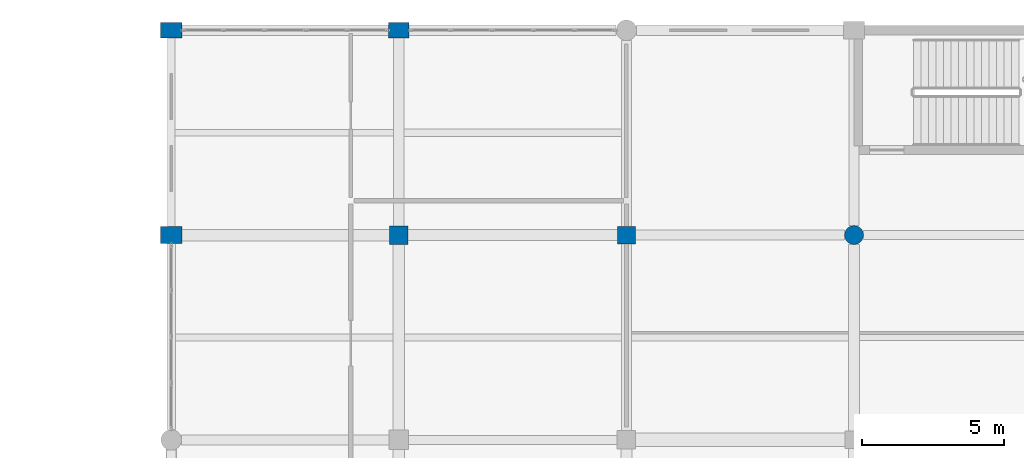
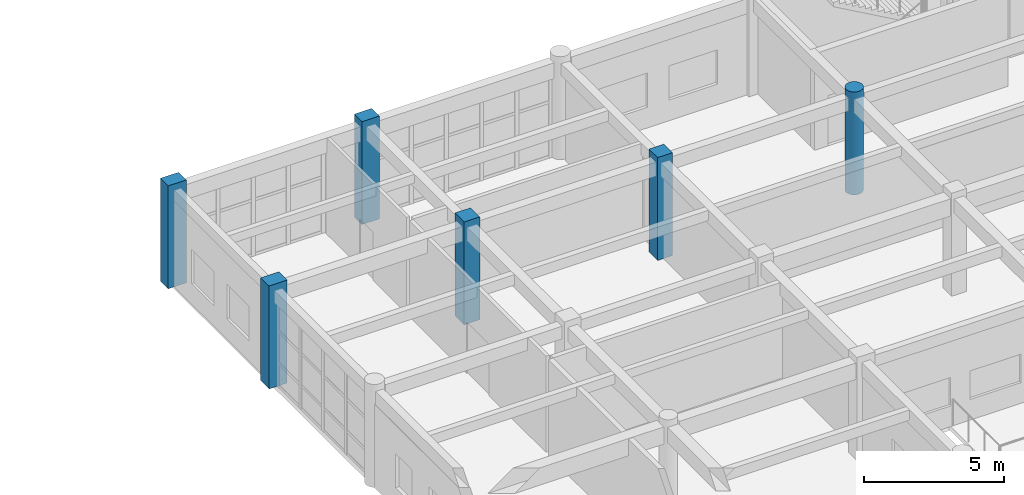
# One storey, part 19 of 160: 6 columns.
"""IFC4 building model written with IfcOpenShell, lengths in metres."""

from ifc_helpers import new_model, si_unit, direction, frame, origin, origin_2d, place, context, subcontext, project, spatial, rectangle, circle, extrude, material, material_profile, profile_set, type_object, element, save


model = new_model("IFC4")

# Units and contexts
model_context = context("Model", 3, precision=1e-05, world=origin(), true_north=direction((0.0, 1.0)))
body_context = subcontext(model_context, "Body", "Model", "MODEL_VIEW")
ifc_project = project(units=[si_unit("LENGTHUNIT", "METRE"), si_unit("AREAUNIT", "SQUARE_METRE"), si_unit("VOLUMEUNIT", "CUBIC_METRE"), si_unit("PLANEANGLEUNIT", "RADIAN"), si_unit("MASSUNIT", "GRAM", prefix="KILO")], contexts=[model_context])

# Site, building, storey
site_placement = place(None, origin())
site = spatial("IfcSite", under=ifc_project, at=site_placement, CompositionType="ELEMENT")
building_placement = place(site_placement, origin())
building = spatial("IfcBuilding", under=site, at=building_placement, Name="Kharva Crest Polytechnic", CompositionType="ELEMENT")
storey_placement = place(building_placement, frame((0.0, 0.0, 4.5)))
storey = spatial("IfcBuildingStorey", under=building, at=storey_placement, Name="L01", CompositionType="ELEMENT", Elevation=4.5)

# Columns
ifc_material = material(Name="Concrete C40/50", Category="concrete")
ifc_material_profile_1 = material_profile(ifc_material, rectangle(XDim=0.719970703125, YDim=0.550048828125, at=origin_2d()), Name="RECT 720 X 550")
ifc_profile_set_1 = profile_set([ifc_material_profile_1], Name="Concrete C40/50")
column_type_1 = type_object("IfcColumnType", Name="COL-EXT-720X550", PredefinedType="COLUMN", material=ifc_profile_set_1)
column_1_placement = place(storey_placement, frame((40.0, 122.0, 0.0), z_axis=(0.0, 0.0, 1.0), x_axis=(1.0, 0.0, 0.0)))
element("IfcColumn", 1, at=column_1_placement, inside=storey, type_object=column_type_1, Name="L01 Column 6/S", PredefinedType="COLUMN", context=body_context, shape_type="SweptSolid", body=[
    extrude(rectangle(XDim=0.719970703125, YDim=0.550048828125, at=origin_2d()), origin(), (0.0, 0.0, 1.0), 4.5),
])
ifc_material_profile_2 = material_profile(ifc_material, rectangle(XDim=0.75, YDim=0.550048828125, at=origin_2d()), Name="RECT 750 X 550")
ifc_profile_set_2 = profile_set([ifc_material_profile_2], Name="Concrete C40/50")
column_type_2 = type_object("IfcColumnType", Name="COL-EXT-750X550", PredefinedType="COLUMN", material=ifc_profile_set_2)
column_2_placement = place(storey_placement, frame((32.0, 122.0, 0.0), z_axis=(0.0, 0.0, 1.0), x_axis=(1.0, 0.0, 0.0)))
element("IfcColumn", 2, at=column_2_placement, inside=storey, type_object=column_type_2, Name="L01 Column 5/S", PredefinedType="COLUMN", context=body_context, shape_type="SweptSolid", body=[
    extrude(rectangle(XDim=0.75, YDim=0.550048828125, at=origin_2d()), origin(), (0.0, 0.0, 1.0), 4.5),
])
ifc_material_profile_3 = material_profile(ifc_material, rectangle(XDim=0.75, YDim=0.60009765625, at=origin_2d()), Name="RECT 750 X 600")
ifc_profile_set_3 = profile_set([ifc_material_profile_3], Name="Concrete C40/50")
column_type_3 = type_object("IfcColumnType", Name="COL-EXT-750X600", PredefinedType="COLUMN", material=ifc_profile_set_3)
column_3_placement = place(storey_placement, frame((32.0, 114.800048828125, 0.0), z_axis=(0.0, 0.0, 1.0), x_axis=(1.0, 0.0, 0.0)))
element("IfcColumn", 3, at=column_3_placement, inside=storey, type_object=column_type_3, Name="L01 Column 5/R", PredefinedType="COLUMN", context=body_context, shape_type="SweptSolid", body=[
    extrude(rectangle(XDim=0.75, YDim=0.60009765625, at=origin_2d()), origin(), (0.0, 0.0, 1.0), 4.5),
])
ifc_material_profile_4 = material_profile(ifc_material, rectangle(XDim=0.6201171875, YDim=0.6201171875, at=origin_2d()), Name="RECT 620 X 620")
ifc_profile_set_4 = profile_set([ifc_material_profile_4], Name="Concrete C40/50")
column_type_4 = type_object("IfcColumnType", Name="COL-INT-620X620", PredefinedType="COLUMN", material=ifc_profile_set_4)
column_4_placement = place(storey_placement, frame((48.0, 114.800048828125, 0.0), z_axis=(0.0, 0.0, 1.0), x_axis=(1.0, 0.0, 0.0)))
element("IfcColumn", 4, at=column_4_placement, inside=storey, type_object=column_type_4, Name="L01 Column 7/R", PredefinedType="COLUMN", context=body_context, shape_type="SweptSolid", body=[
    extrude(rectangle(XDim=0.6201171875, YDim=0.6201171875, at=origin_2d()), origin(), (0.0, 0.0, 1.0), 4.5),
])
ifc_material_profile_5 = material_profile(ifc_material, rectangle(XDim=0.64990234375, YDim=0.64990234375, at=origin_2d()), Name="RECT 650 X 650")
ifc_profile_set_5 = profile_set([ifc_material_profile_5], Name="Concrete C40/50")
column_type_5 = type_object("IfcColumnType", Name="COL-INT-650X650", PredefinedType="COLUMN", material=ifc_profile_set_5)
column_5_placement = place(storey_placement, frame((40.0, 114.800048828125, 0.0), z_axis=(0.0, 0.0, 1.0), x_axis=(1.0, 0.0, 0.0)))
element("IfcColumn", 5, at=column_5_placement, inside=storey, type_object=column_type_5, Name="L01 Column 6/R", PredefinedType="COLUMN", context=body_context, shape_type="SweptSolid", body=[
    extrude(rectangle(XDim=0.64990234375, YDim=0.64990234375, at=origin_2d()), origin(), (0.0, 0.0, 1.0), 4.5),
])
ifc_material_profile_6 = material_profile(ifc_material, circle(Radius=0.330078125, at=origin_2d()), Name="DIA 660")
ifc_profile_set_6 = profile_set([ifc_material_profile_6], Name="Concrete C40/50")
column_type_6 = type_object("IfcColumnType", Name="COL-INT-DIA660", PredefinedType="COLUMN", material=ifc_profile_set_6)
column_6_placement = place(storey_placement, frame((56.0, 114.800048828125, 0.0), z_axis=(0.0, 0.0, 1.0), x_axis=(1.0, 0.0, 0.0)))
element("IfcColumn", 6, at=column_6_placement, inside=storey, type_object=column_type_6, Name="L01 Column 8/R", PredefinedType="COLUMN", context=body_context, shape_type="SweptSolid", body=[
    extrude(circle(Radius=0.330078125, at=origin_2d()), origin(), (0.0, 0.0, 1.0), 4.5),
])

save(model, "model.ifc")
